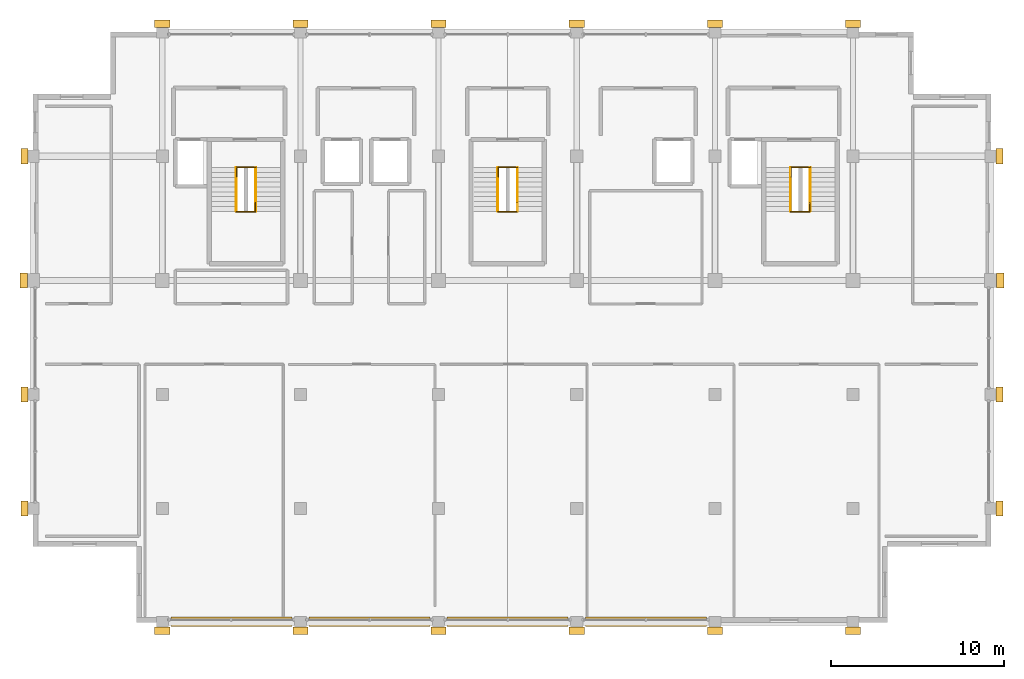
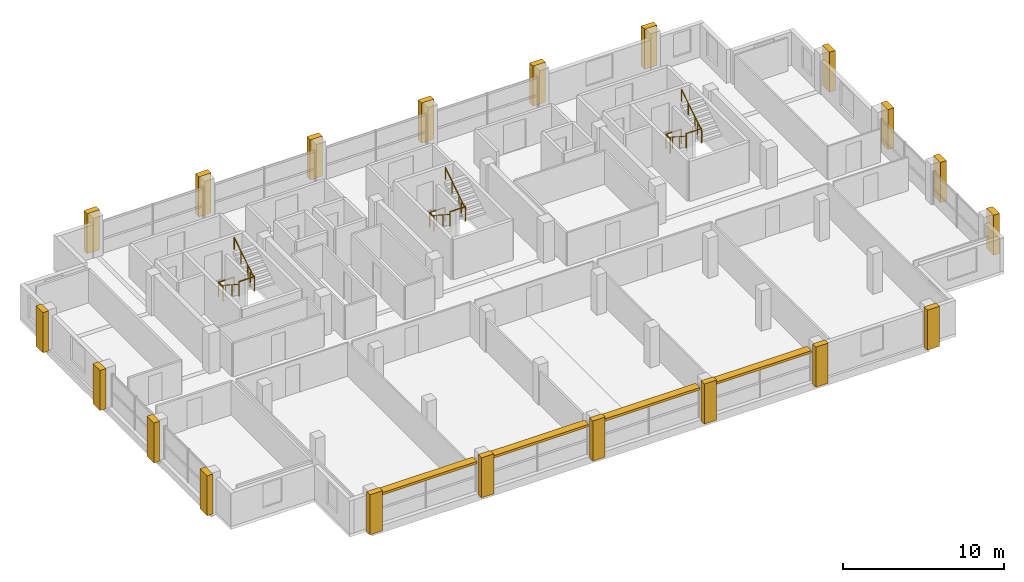
# One storey, part 24 of 24: 20 coverings, 12 railings, 4 shading devices.
"""IFC4 building model written with IfcOpenShell, lengths in metres."""

from ifc_helpers import new_model, si_unit, direction, frame, origin, origin_2d, place, context, subcontext, project, spatial, rectangle, circle, extrude, material, layer, layer_set, type_object, element, save


model = new_model("IFC4")

# Units and contexts
model_context = context("Model", 3, precision=1e-05, world=origin(), true_north=direction((0.0, 1.0)))
body_context = subcontext(model_context, "Body", "Model", "MODEL_VIEW")
ifc_project = project(units=[si_unit("LENGTHUNIT", "METRE"), si_unit("AREAUNIT", "SQUARE_METRE"), si_unit("VOLUMEUNIT", "CUBIC_METRE"), si_unit("PLANEANGLEUNIT", "RADIAN"), si_unit("MASSUNIT", "GRAM", prefix="KILO")], contexts=[model_context])

# Site, building, storey
site_placement = place(None, origin())
site = spatial("IfcSite", under=ifc_project, at=site_placement, CompositionType="ELEMENT")
building_placement = place(site_placement, origin())
building = spatial("IfcBuilding", under=site, at=building_placement, Name="Akrevak Sports Hall", CompositionType="ELEMENT")
storey_placement = place(building_placement, frame((0.0, 0.0, 56.800048828125)))
storey = spatial("IfcBuildingStorey", under=building, at=storey_placement, Name="L14", CompositionType="ELEMENT", Elevation=56.800048828125)

# Coverings
ifc_material_1 = material(Name="Limestone Ashlar", Category="stone")
ifc_layer_1 = layer(ifc_material_1, 0.47998046875, Name="Limestone Ashlar")
ifc_layer_set_1 = layer_set([ifc_layer_1], Name="Limestone Ashlar")
covering_type = type_object("IfcCoveringType", Name="ARC-COV-PIL-LIM", PredefinedType="CLADDING", material=ifc_layer_set_1)
for number, where, z_axis, x_axis, name in (
    (1, (60.0, 34.919921875, 0.0), (0.0, 0.0, 1.0), (1.0, 0.0, 0.0), "Giant-Order Limestone Pilaster L14-01-01"),
    (2, (68.0, 34.919921875, 0.0), (0.0, 0.0, 1.0), (1.0, 0.0, 0.0), "Giant-Order Limestone Pilaster L14-01-02"),
    (3, (76.0, 34.919921875, 0.0), (0.0, 0.0, 1.0), (1.0, 0.0, 0.0), "Giant-Order Limestone Pilaster L14-01-03"),
    (4, (84.0, 34.919921875, 0.0), (0.0, 0.0, 1.0), (1.0, 0.0, 0.0), "Giant-Order Limestone Pilaster L14-01-04"),
    (5, (92.0, 34.919921875, 0.0), (0.0, 0.0, 1.0), (1.0, 0.0, 0.0), "Giant-Order Limestone Pilaster L14-01-05"),
    (6, (100.0, 34.919921875, 0.0), (0.0, 0.0, 1.0), (1.0, 0.0, 0.0), "Giant-Order Limestone Pilaster L14-01-06"),
    (7, (108.47998046875, 42.0, 0.0), (0.0, 0.0, 1.0), (0.0, 1.0, 0.0), "Giant-Order Limestone Pilaster L14-04-07"),
    (8, (108.47998046875, 48.60009765625, 0.0), (0.0, 0.0, 1.0), (0.0, 1.0, 0.0), "Giant-Order Limestone Pilaster L14-04-08"),
    (9, (108.530029296875, 55.199951171875, 0.0), (0.0, 0.0, 1.0), (0.0, 1.0, 0.0), "Giant-Order Limestone Pilaster L14-04-09"),
    (10, (108.47998046875, 62.39990234375, 0.0), (0.0, 0.0, 1.0), (0.0, 1.0, 0.0), "Giant-Order Limestone Pilaster L14-04-10"),
    (11, (60.0, 70.080078125, 0.0), (0.0, 0.0, 1.0), (-1.0, 0.0, 0.0), "Giant-Order Limestone Pilaster L14-07-11"),
    (12, (68.0, 70.080078125, 0.0), (0.0, 0.0, 1.0), (-1.0, 0.0, 0.0), "Giant-Order Limestone Pilaster L14-07-12"),
    (13, (76.0, 70.080078125, 0.0), (0.0, 0.0, 1.0), (-1.0, 0.0, 0.0), "Giant-Order Limestone Pilaster L14-07-13"),
    (14, (84.0, 70.080078125, 0.0), (0.0, 0.0, 1.0), (-1.0, 0.0, 0.0), "Giant-Order Limestone Pilaster L14-07-14"),
    (15, (92.0, 70.080078125, 0.0), (0.0, 0.0, 1.0), (-1.0, 0.0, 0.0), "Giant-Order Limestone Pilaster L14-07-15"),
    (16, (100.0, 70.080078125, 0.0), (0.0, 0.0, 1.0), (-1.0, 0.0, 0.0), "Giant-Order Limestone Pilaster L14-07-16"),
    (17, (52.02001953125, 42.0, 0.0), (0.0, 0.0, 1.0), (0.0, -1.0, 0.0), "Giant-Order Limestone Pilaster L14-10-17"),
    (18, (52.02001953125, 48.60009765625, 0.0), (0.0, 0.0, 1.0), (0.0, -1.0, 0.0), "Giant-Order Limestone Pilaster L14-10-18"),
    (19, (51.969970703125, 55.199951171875, 0.0), (0.0, 0.0, 1.0), (0.0, -1.0, 0.0), "Giant-Order Limestone Pilaster L14-10-19"),
    (20, (52.02001953125, 62.39990234375, 0.0), (0.0, 0.0, 1.0), (0.0, -1.0, 0.0), "Giant-Order Limestone Pilaster L14-10-20"),
):
    element("IfcCovering", number, at=place(storey_placement, frame(where, z_axis=z_axis, x_axis=x_axis)), inside=storey, type_object=covering_type, Name=name, PredefinedType="CLADDING", context=body_context, shape_type="SweptSolid", body=[
        extrude(rectangle(XDim=0.8798828125, YDim=0.419921875, at=origin_2d()), origin(), (0.0, 0.0, 1.0), 3.0400390625),
    ])

# Railings
ifc_material_2 = material(Name="Painted Architectural Balustrade Steel", Category="steel")
ifc_layer_2 = layer(ifc_material_2, 0.06005859375, Name="Painted Architectural Balustrade Steel")
ifc_layer_set_2 = layer_set([ifc_layer_2], Name="Painted Architectural Balustrade Steel")
railing_type_1 = type_object("IfcRailingType", Name="ARC-RL-GRD-1120", PredefinedType="GUARDRAIL", material=ifc_layer_set_2)
railing_1_placement = place(storey_placement, frame((64.31005859375, 61.215087890625, 0.0)))
element("IfcRailing", 21, at=railing_1_placement, inside=storey, type_object=railing_type_1, Name="Stair Floor Landing Well Guard ST1 (L14)", PredefinedType="GUARDRAIL", context=body_context, shape_type="SweptSolid", body=[
    extrude(circle(Radius=0.02392578125, at=origin_2d()), frame((0.0, 0.0, 1.09619140625), z_axis=(0.0, 1.0, 0.0), x_axis=(-1.0, 0.0, 0.0)), (0.0, 0.0, 1.0), 0.5498046875),
    extrude(circle(Radius=0.02392578125, at=origin_2d()), frame((0.0, 0.5498046875, 1.09619140625), z_axis=(1.0, 0.0, 0.0), x_axis=(0.0, 1.0, 0.0)), (0.0, 0.0, 1.0), 1.10986328125),
    extrude(circle(Radius=0.02099609375, at=origin_2d()), origin(), (0.0, 0.0, 1.0), 1.072021484375),
    extrude(circle(Radius=0.02099609375, at=origin_2d()), frame((0.0, 0.5498046875, 0.0)), (0.0, 0.0, 1.0), 1.072021484375),
    extrude(circle(Radius=0.02099609375, at=origin_2d()), frame((1.10986328125, 0.5498046875, 0.0)), (0.0, 0.0, 1.0), 1.072021484375),
])
railing_2_placement = place(storey_placement, frame((64.280029296875, 59.18505859375, 1.625)))
element("IfcRailing", 22, at=railing_2_placement, inside=storey, type_object=railing_type_1, Name="Stair Landing Well Guard ST1-L14-1", PredefinedType="GUARDRAIL", context=body_context, shape_type="SweptSolid", body=[
    extrude(circle(Radius=0.02392578125, at=origin_2d()), frame((0.0, 0.0, 1.09619140625), z_axis=(1.0, 0.0, 0.0), x_axis=(0.0, 1.0, 0.0)), (0.0, 0.0, 1.0), 1.10986328125),
    extrude(circle(Radius=0.02392578125, at=origin_2d()), frame((1.10986328125, 0.0, 1.09619140625), z_axis=(0.0, 1.0, 0.0), x_axis=(-1.0, 0.0, 0.0)), (0.0, 0.0, 1.0), 0.52001953125),
    extrude(circle(Radius=0.02099609375, at=origin_2d()), origin(), (0.0, 0.0, 1.0), 1.072021484375),
    extrude(circle(Radius=0.02099609375, at=origin_2d()), frame((1.10986328125, 0.0, 0.0)), (0.0, 0.0, 1.0), 1.072021484375),
    extrude(circle(Radius=0.02099609375, at=origin_2d()), frame((1.10986328125, 0.52001953125, 0.0)), (0.0, 0.0, 1.0), 1.072021484375),
])
railing_3_placement = place(storey_placement, frame((96.409912109375, 61.215087890625, 0.0)))
element("IfcRailing", 23, at=railing_3_placement, inside=storey, type_object=railing_type_1, Name="Stair Floor Landing Well Guard ST2 (L14)", PredefinedType="GUARDRAIL", context=body_context, shape_type="SweptSolid", body=[
    extrude(circle(Radius=0.02392578125, at=origin_2d()), frame((0.0, 0.0, 1.09619140625), z_axis=(0.0, 1.0, 0.0), x_axis=(-1.0, 0.0, 0.0)), (0.0, 0.0, 1.0), 0.5498046875),
    extrude(circle(Radius=0.02392578125, at=origin_2d()), frame((0.0, 0.5498046875, 1.09619140625), z_axis=(1.0, 0.0, 0.0), x_axis=(0.0, 1.0, 0.0)), (0.0, 0.0, 1.0), 1.110107421875),
    extrude(circle(Radius=0.02099609375, at=origin_2d()), origin(), (0.0, 0.0, 1.0), 1.072021484375),
    extrude(circle(Radius=0.02099609375, at=origin_2d()), frame((0.0, 0.5498046875, 0.0)), (0.0, 0.0, 1.0), 1.072021484375),
    extrude(circle(Radius=0.02099609375, at=origin_2d()), frame((1.110107421875, 0.5498046875, 0.0)), (0.0, 0.0, 1.0), 1.072021484375),
])
railing_4_placement = place(storey_placement, frame((96.3798828125, 59.18505859375, 1.625)))
element("IfcRailing", 24, at=railing_4_placement, inside=storey, type_object=railing_type_1, Name="Stair Landing Well Guard ST2-L14-1", PredefinedType="GUARDRAIL", context=body_context, shape_type="SweptSolid", body=[
    extrude(circle(Radius=0.02392578125, at=origin_2d()), frame((0.0, 0.0, 1.09619140625), z_axis=(1.0, 0.0, 0.0), x_axis=(0.0, 1.0, 0.0)), (0.0, 0.0, 1.0), 1.110107421875),
    extrude(circle(Radius=0.02392578125, at=origin_2d()), frame((1.110107421875, 0.0, 1.09619140625), z_axis=(0.0, 1.0, 0.0), x_axis=(-1.0, 0.0, 0.0)), (0.0, 0.0, 1.0), 0.52001953125),
    extrude(circle(Radius=0.02099609375, at=origin_2d()), origin(), (0.0, 0.0, 1.0), 1.072021484375),
    extrude(circle(Radius=0.02099609375, at=origin_2d()), frame((1.110107421875, 0.0, 0.0)), (0.0, 0.0, 1.0), 1.072021484375),
    extrude(circle(Radius=0.02099609375, at=origin_2d()), frame((1.110107421875, 0.52001953125, 0.0)), (0.0, 0.0, 1.0), 1.072021484375),
])
railing_5_placement = place(storey_placement, frame((79.4599609375, 61.215087890625, 0.0)))
element("IfcRailing", 25, at=railing_5_placement, inside=storey, type_object=railing_type_1, Name="Stair Floor Landing Well Guard ST3 (L14)", PredefinedType="GUARDRAIL", context=body_context, shape_type="SweptSolid", body=[
    extrude(circle(Radius=0.02392578125, at=origin_2d()), frame((0.0, 0.0, 1.09619140625), z_axis=(0.0, 1.0, 0.0), x_axis=(-1.0, 0.0, 0.0)), (0.0, 0.0, 1.0), 0.5498046875),
    extrude(circle(Radius=0.02392578125, at=origin_2d()), frame((0.0, 0.5498046875, 1.09619140625), z_axis=(1.0, 0.0, 0.0), x_axis=(0.0, 1.0, 0.0)), (0.0, 0.0, 1.0), 1.110107421875),
    extrude(circle(Radius=0.02099609375, at=origin_2d()), origin(), (0.0, 0.0, 1.0), 1.072021484375),
    extrude(circle(Radius=0.02099609375, at=origin_2d()), frame((0.0, 0.5498046875, 0.0)), (0.0, 0.0, 1.0), 1.072021484375),
    extrude(circle(Radius=0.02099609375, at=origin_2d()), frame((1.110107421875, 0.5498046875, 0.0)), (0.0, 0.0, 1.0), 1.072021484375),
])
railing_6_placement = place(storey_placement, frame((79.429931640625, 59.18505859375, 1.625)))
element("IfcRailing", 26, at=railing_6_placement, inside=storey, type_object=railing_type_1, Name="Stair Landing Well Guard ST3-L14-1", PredefinedType="GUARDRAIL", context=body_context, shape_type="SweptSolid", body=[
    extrude(circle(Radius=0.02392578125, at=origin_2d()), frame((0.0, 0.0, 1.09619140625), z_axis=(1.0, 0.0, 0.0), x_axis=(0.0, 1.0, 0.0)), (0.0, 0.0, 1.0), 1.110107421875),
    extrude(circle(Radius=0.02392578125, at=origin_2d()), frame((1.110107421875, 0.0, 1.09619140625), z_axis=(0.0, 1.0, 0.0), x_axis=(-1.0, 0.0, 0.0)), (0.0, 0.0, 1.0), 0.52001953125),
    extrude(circle(Radius=0.02099609375, at=origin_2d()), origin(), (0.0, 0.0, 1.0), 1.072021484375),
    extrude(circle(Radius=0.02099609375, at=origin_2d()), frame((1.110107421875, 0.0, 0.0)), (0.0, 0.0, 1.0), 1.072021484375),
    extrude(circle(Radius=0.02099609375, at=origin_2d()), frame((1.110107421875, 0.52001953125, 0.0)), (0.0, 0.0, 1.0), 1.072021484375),
])
ifc_material_3 = material(Name="Brushed Stainless Steel 304", Category="steel")
ifc_layer_3 = layer(ifc_material_3, 0.050048828125, Name="Brushed Stainless Steel 304")
ifc_layer_set_3 = layer_set([ifc_layer_3], Name="Brushed Stainless Steel 304")
railing_type_2 = type_object("IfcRailingType", Name="ARC-RL-HND-900", PredefinedType="HANDRAIL", material=ifc_layer_set_3)
railing_7_placement = place(storey_placement, frame((64.280029296875, 61.735107421875, 0.0)))
element("IfcRailing", 27, at=railing_7_placement, inside=storey, type_object=railing_type_2, Name="Stair Handrail ST1-L14-F1", PredefinedType="HANDRAIL", context=body_context, shape_type="SweptSolid", body=[
    extrude(circle(Radius=0.02392578125, at=origin_2d()), frame((0.0, 0.0, 0.8759765625), z_axis=(0.0, -0.840421059866, 0.541933983188), x_axis=(1.0, 0.0, 0.0)), (0.0, 0.0, 1.0), 2.99853515625),
    extrude(circle(Radius=0.02099609375, at=origin_2d()), origin(), (0.0, 0.0, 1.0), 0.851806640625),
    extrude(circle(Radius=0.02099609375, at=origin_2d()), frame((0.0, -0.840087890625, 0.541748046875)), (0.0, 0.0, 1.0), 0.851806640625),
    extrude(circle(Radius=0.02099609375, at=origin_2d()), frame((0.0, -1.679931640625, 1.083251953125)), (0.0, 0.0, 1.0), 0.851806640625),
    extrude(circle(Radius=0.02099609375, at=origin_2d()), frame((0.0, -2.52001953125, 1.625)), (0.0, 0.0, 1.0), 0.851806640625),
])
railing_8_placement = place(storey_placement, frame((65.419921875, 59.215087890625, 1.625)))
element("IfcRailing", 28, at=railing_8_placement, inside=storey, type_object=railing_type_2, Name="Stair Handrail ST1-L14-F2", PredefinedType="HANDRAIL", context=body_context, shape_type="SweptSolid", body=[
    extrude(circle(Radius=0.02392578125, at=origin_2d()), frame((0.0, 0.0, 0.8759765625), z_axis=(0.0, 0.840421059866, 0.541933983188), x_axis=(-1.0, 0.0, 0.0)), (0.0, 0.0, 1.0), 2.99853515625),
    extrude(circle(Radius=0.02099609375, at=origin_2d()), origin(), (0.0, 0.0, 1.0), 0.851806640625),
    extrude(circle(Radius=0.02099609375, at=origin_2d()), frame((0.0, 0.840087890625, 0.541748046875)), (0.0, 0.0, 1.0), 0.851806640625),
    extrude(circle(Radius=0.02099609375, at=origin_2d()), frame((0.0, 1.679931640625, 1.083251953125)), (0.0, 0.0, 1.0), 0.851806640625),
    extrude(circle(Radius=0.02099609375, at=origin_2d()), frame((0.0, 2.52001953125, 1.625)), (0.0, 0.0, 1.0), 0.851806640625),
])
railing_9_placement = place(storey_placement, frame((96.3798828125, 61.735107421875, 0.0)))
element("IfcRailing", 29, at=railing_9_placement, inside=storey, type_object=railing_type_2, Name="Stair Handrail ST2-L14-F1", PredefinedType="HANDRAIL", context=body_context, shape_type="SweptSolid", body=[
    extrude(circle(Radius=0.02392578125, at=origin_2d()), frame((0.0, 0.0, 0.8759765625), z_axis=(0.0, -0.840421059866, 0.541933983188), x_axis=(1.0, 0.0, 0.0)), (0.0, 0.0, 1.0), 2.99853515625),
    extrude(circle(Radius=0.02099609375, at=origin_2d()), origin(), (0.0, 0.0, 1.0), 0.851806640625),
    extrude(circle(Radius=0.02099609375, at=origin_2d()), frame((0.0, -0.840087890625, 0.541748046875)), (0.0, 0.0, 1.0), 0.851806640625),
    extrude(circle(Radius=0.02099609375, at=origin_2d()), frame((0.0, -1.679931640625, 1.083251953125)), (0.0, 0.0, 1.0), 0.851806640625),
    extrude(circle(Radius=0.02099609375, at=origin_2d()), frame((0.0, -2.52001953125, 1.625)), (0.0, 0.0, 1.0), 0.851806640625),
])
railing_10_placement = place(storey_placement, frame((97.52001953125, 59.215087890625, 1.625)))
element("IfcRailing", 30, at=railing_10_placement, inside=storey, type_object=railing_type_2, Name="Stair Handrail ST2-L14-F2", PredefinedType="HANDRAIL", context=body_context, shape_type="SweptSolid", body=[
    extrude(circle(Radius=0.02392578125, at=origin_2d()), frame((0.0, 0.0, 0.8759765625), z_axis=(0.0, 0.840421059866, 0.541933983188), x_axis=(-1.0, 0.0, 0.0)), (0.0, 0.0, 1.0), 2.99853515625),
    extrude(circle(Radius=0.02099609375, at=origin_2d()), origin(), (0.0, 0.0, 1.0), 0.851806640625),
    extrude(circle(Radius=0.02099609375, at=origin_2d()), frame((0.0, 0.840087890625, 0.541748046875)), (0.0, 0.0, 1.0), 0.851806640625),
    extrude(circle(Radius=0.02099609375, at=origin_2d()), frame((0.0, 1.679931640625, 1.083251953125)), (0.0, 0.0, 1.0), 0.851806640625),
    extrude(circle(Radius=0.02099609375, at=origin_2d()), frame((0.0, 2.52001953125, 1.625)), (0.0, 0.0, 1.0), 0.851806640625),
])
railing_11_placement = place(storey_placement, frame((79.429931640625, 61.735107421875, 0.0)))
element("IfcRailing", 31, at=railing_11_placement, inside=storey, type_object=railing_type_2, Name="Stair Handrail ST3-L14-F1", PredefinedType="HANDRAIL", context=body_context, shape_type="SweptSolid", body=[
    extrude(circle(Radius=0.02392578125, at=origin_2d()), frame((0.0, 0.0, 0.8759765625), z_axis=(0.0, -0.840421059866, 0.541933983188), x_axis=(1.0, 0.0, 0.0)), (0.0, 0.0, 1.0), 2.99853515625),
    extrude(circle(Radius=0.02099609375, at=origin_2d()), origin(), (0.0, 0.0, 1.0), 0.851806640625),
    extrude(circle(Radius=0.02099609375, at=origin_2d()), frame((0.0, -0.840087890625, 0.541748046875)), (0.0, 0.0, 1.0), 0.851806640625),
    extrude(circle(Radius=0.02099609375, at=origin_2d()), frame((0.0, -1.679931640625, 1.083251953125)), (0.0, 0.0, 1.0), 0.851806640625),
    extrude(circle(Radius=0.02099609375, at=origin_2d()), frame((0.0, -2.52001953125, 1.625)), (0.0, 0.0, 1.0), 0.851806640625),
])
railing_12_placement = place(storey_placement, frame((80.570068359375, 59.215087890625, 1.625)))
element("IfcRailing", 32, at=railing_12_placement, inside=storey, type_object=railing_type_2, Name="Stair Handrail ST3-L14-F2", PredefinedType="HANDRAIL", context=body_context, shape_type="SweptSolid", body=[
    extrude(circle(Radius=0.02392578125, at=origin_2d()), frame((0.0, 0.0, 0.8759765625), z_axis=(0.0, 0.840421059866, 0.541933983188), x_axis=(-1.0, 0.0, 0.0)), (0.0, 0.0, 1.0), 2.99853515625),
    extrude(circle(Radius=0.02099609375, at=origin_2d()), origin(), (0.0, 0.0, 1.0), 0.851806640625),
    extrude(circle(Radius=0.02099609375, at=origin_2d()), frame((0.0, 0.840087890625, 0.541748046875)), (0.0, 0.0, 1.0), 0.851806640625),
    extrude(circle(Radius=0.02099609375, at=origin_2d()), frame((0.0, 1.679931640625, 1.083251953125)), (0.0, 0.0, 1.0), 0.851806640625),
    extrude(circle(Radius=0.02099609375, at=origin_2d()), frame((0.0, 2.52001953125, 1.625)), (0.0, 0.0, 1.0), 0.851806640625),
])

# Shading devices
ifc_material_4 = material(Name="Anodized Bronze Aluminium", Category="aluminium")
shading_device_type = type_object("IfcShadingDeviceType", Name="ARC-SHD-BRZ-300", PredefinedType="JALOUSIE", material=ifc_material_4)
for number, where, z_axis, x_axis, name in (
    (33, (64.0, 35.43994140625, 2.33984375), (0.0, 0.0, 1.0), (1.0, 0.0, 0.0), "Tower Bronze Louvre SH-27"),
    (34, (72.0, 35.43994140625, 2.33984375), (0.0, 0.0, 1.0), (1.0, 0.0, 0.0), "Tower Bronze Louvre SH-28"),
    (35, (80.0, 35.43994140625, 2.33984375), (0.0, 0.0, 1.0), (1.0, 0.0, 0.0), "Tower Bronze Louvre SH-29"),
    (36, (88.0, 35.43994140625, 2.33984375), (0.0, 0.0, 1.0), (1.0, 0.0, 0.0), "Tower Bronze Louvre SH-30"),
):
    element("IfcShadingDevice", number, at=place(storey_placement, frame(where, z_axis=z_axis, x_axis=x_axis)), inside=storey, type_object=shading_device_type, Name=name, PredefinedType="JALOUSIE", context=body_context, shape_type="SweptSolid", body=[
        extrude(rectangle(XDim=7.008056640625, YDim=0.5400390625, at=origin_2d()), origin(), (0.0, 0.0, 1.0), 0.179931640625),
    ])

save(model, "model.ifc")
